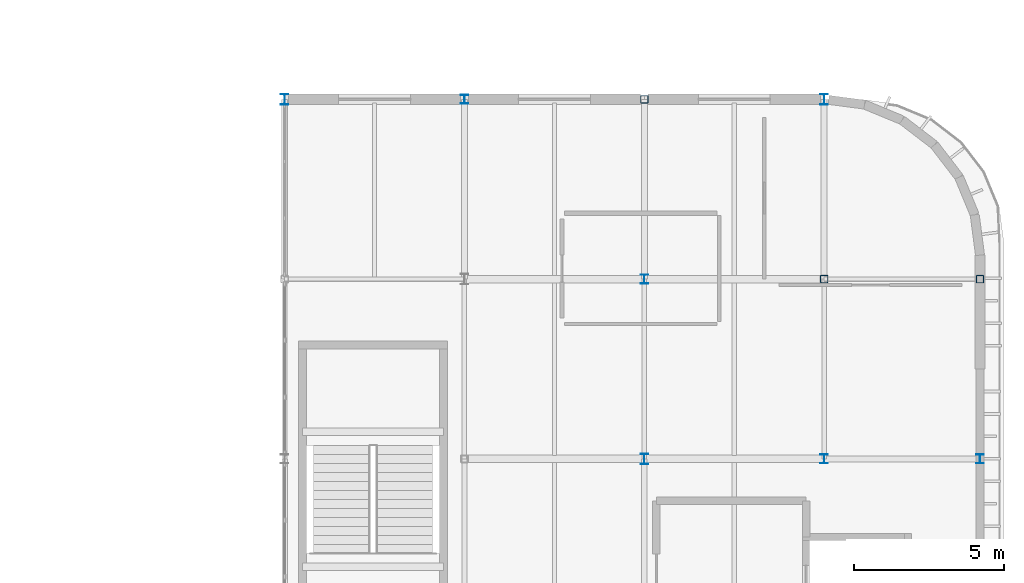
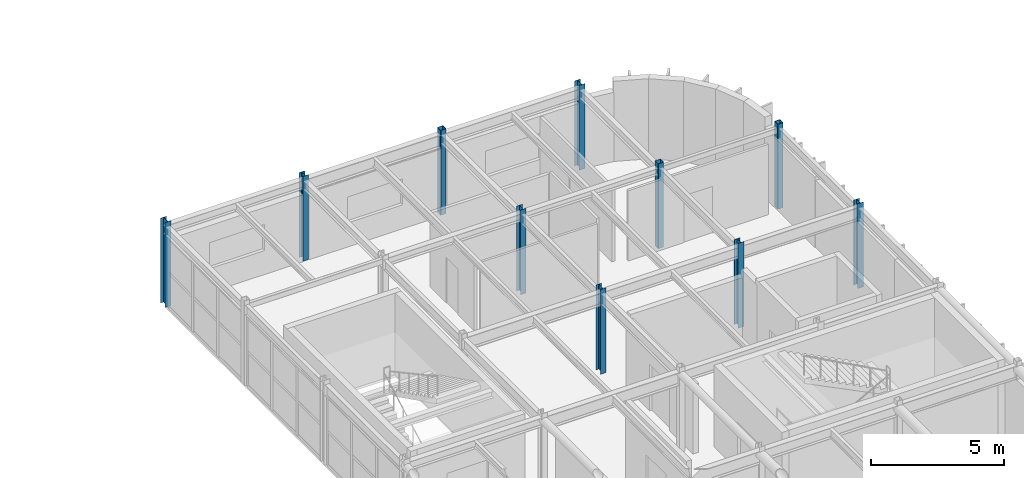
# One storey, part 8 of 63: 10 columns.
"""IFC4 building model written with IfcOpenShell, lengths in metres."""

from ifc_helpers import new_model, si_unit, direction, frame, origin, origin_2d, place, context, subcontext, project, spatial, hollow_rectangle, i_section, extrude, material, material_profile, profile_set, type_object, element, save


model = new_model("IFC4")

# Units and contexts
model_context = context("Model", 3, precision=1e-05, world=origin(), true_north=direction((0.0, 1.0)))
body_context = subcontext(model_context, "Body", "Model", "MODEL_VIEW")
ifc_project = project(units=[si_unit("LENGTHUNIT", "METRE"), si_unit("AREAUNIT", "SQUARE_METRE"), si_unit("VOLUMEUNIT", "CUBIC_METRE"), si_unit("PLANEANGLEUNIT", "RADIAN"), si_unit("MASSUNIT", "GRAM", prefix="KILO")], contexts=[model_context])

# Site, building, storey
site_placement = place(None, origin())
site = spatial("IfcSite", under=ifc_project, at=site_placement, CompositionType="ELEMENT")
building_placement = place(site_placement, origin())
building = spatial("IfcBuilding", under=site, at=building_placement, Name="Varnakota Square Police Headquarters", CompositionType="ELEMENT")
storey_placement = place(building_placement, frame((0.0, 0.0, 22.199951171875)))
storey = spatial("IfcBuildingStorey", under=building, at=storey_placement, Name="L05", CompositionType="ELEMENT", Elevation=22.199951171875)

# Columns
ifc_material = material(Name="Steel IS 2062 Grade 350", Category="steel")
ifc_material_profile_1 = material_profile(ifc_material, i_section(OverallWidth=0.25, OverallDepth=0.300048828125, WebThickness=0.009521484375, FlangeThickness=0.010498046875, FilletRadius=0.011962890625, at=origin_2d()), Name="ISHB 300")
ifc_profile_set_1 = profile_set([ifc_material_profile_1], Name="Steel IS 2062 Grade 350")
column_type_1 = type_object("IfcColumnType", Name="COL-ISHB300", PredefinedType="COLUMN", material=ifc_profile_set_1)
for number, where, z_axis, x_axis, name in (
    (1, (144.0, 45.0, 0.0), (0.0, 0.0, 1.0), (1.0, 0.0, 0.0), "Column X1440-Y0450 L05"),
    (2, (150.0, 39.0, 0.0), (0.0, 0.0, 1.0), (1.0, 0.0, 0.0), "Column X1500-Y0390 L05"),
    (3, (156.0, 33.0, 0.0), (0.0, 0.0, 1.0), (1.0, 0.0, 0.0), "Column X1560-Y0330 L05"),
    (4, (161.199951171875, 33.0, 0.0), (0.0, 0.0, 1.0), (1.0, 0.0, 0.0), "Column X1612-Y0330 L05"),
):
    element("IfcColumn", number, at=place(storey_placement, frame(where, z_axis=z_axis, x_axis=x_axis)), inside=storey, type_object=column_type_1, Name=name, PredefinedType="COLUMN", context=body_context, shape_type="SweptSolid", body=[
        extrude(i_section(OverallWidth=0.25, OverallDepth=0.300048828125, WebThickness=0.009521484375, FlangeThickness=0.010498046875, FilletRadius=0.011962890625, at=origin_2d()), origin(), (0.0, 0.0, 1.0), 3.900146484375),
    ])
ifc_material_profile_2 = material_profile(ifc_material, i_section(OverallWidth=0.25, OverallDepth=0.35009765625, WebThickness=0.010009765625, FlangeThickness=0.01171875, FilletRadius=0.011962890625, at=origin_2d()), Name="ISHB 350")
ifc_profile_set_2 = profile_set([ifc_material_profile_2], Name="Steel IS 2062 Grade 350")
column_type_2 = type_object("IfcColumnType", Name="COL-ISHB350", PredefinedType="COLUMN", material=ifc_profile_set_2)
for number, where, z_axis, x_axis, name in (
    (5, (138.0, 45.0, 0.0), (0.0, 0.0, 1.0), (1.0, 0.0, 0.0), "Column X1380-Y0450 L05"),
    (6, (150.0, 33.0, 0.0), (0.0, 0.0, 1.0), (1.0, 0.0, 0.0), "Column X1500-Y0330 L05"),
    (7, (156.0, 45.0, 0.0), (0.0, 0.0, 1.0), (1.0, 0.0, 0.0), "Column X1560-Y0450 L05"),
):
    element("IfcColumn", number, at=place(storey_placement, frame(where, z_axis=z_axis, x_axis=x_axis)), inside=storey, type_object=column_type_2, Name=name, PredefinedType="COLUMN", context=body_context, shape_type="SweptSolid", body=[
        extrude(i_section(OverallWidth=0.25, OverallDepth=0.35009765625, WebThickness=0.010009765625, FlangeThickness=0.01171875, FilletRadius=0.011962890625, at=origin_2d()), origin(), (0.0, 0.0, 1.0), 3.900146484375),
    ])
ifc_material_profile_3 = material_profile(ifc_material, hollow_rectangle(XDim=0.25, YDim=0.25, WallThickness=0.011962890625, InnerFilletRadius=0.011962890625, OuterFilletRadius=0.02392578125, at=origin_2d()), Name="SHS 250x250x12")
ifc_profile_set_3 = profile_set([ifc_material_profile_3], Name="Steel IS 2062 Grade 350")
column_type_3 = type_object("IfcColumnType", Name="COL-SHS250", PredefinedType="COLUMN", material=ifc_profile_set_3)
for number, where, z_axis, x_axis, name in (
    (8, (150.0, 45.0, 0.0), (0.0, 0.0, 1.0), (1.0, 0.0, 0.0), "Column X1500-Y0450 L05"),
    (9, (156.0, 39.0, 0.0), (0.0, 0.0, 1.0), (1.0, 0.0, 0.0), "Column X1560-Y0390 L05"),
    (10, (161.199951171875, 39.0, 0.0), (0.0, 0.0, 1.0), (1.0, 0.0, 0.0), "Column X1612-Y0390 L05"),
):
    element("IfcColumn", number, at=place(storey_placement, frame(where, z_axis=z_axis, x_axis=x_axis)), inside=storey, type_object=column_type_3, Name=name, PredefinedType="COLUMN", context=body_context, shape_type="SweptSolid", body=[
        extrude(hollow_rectangle(XDim=0.25, YDim=0.25, WallThickness=0.011962890625, InnerFilletRadius=0.011962890625, OuterFilletRadius=0.02392578125, at=origin_2d()), origin(), (0.0, 0.0, 1.0), 3.900146484375),
    ])

save(model, "model.ifc")
